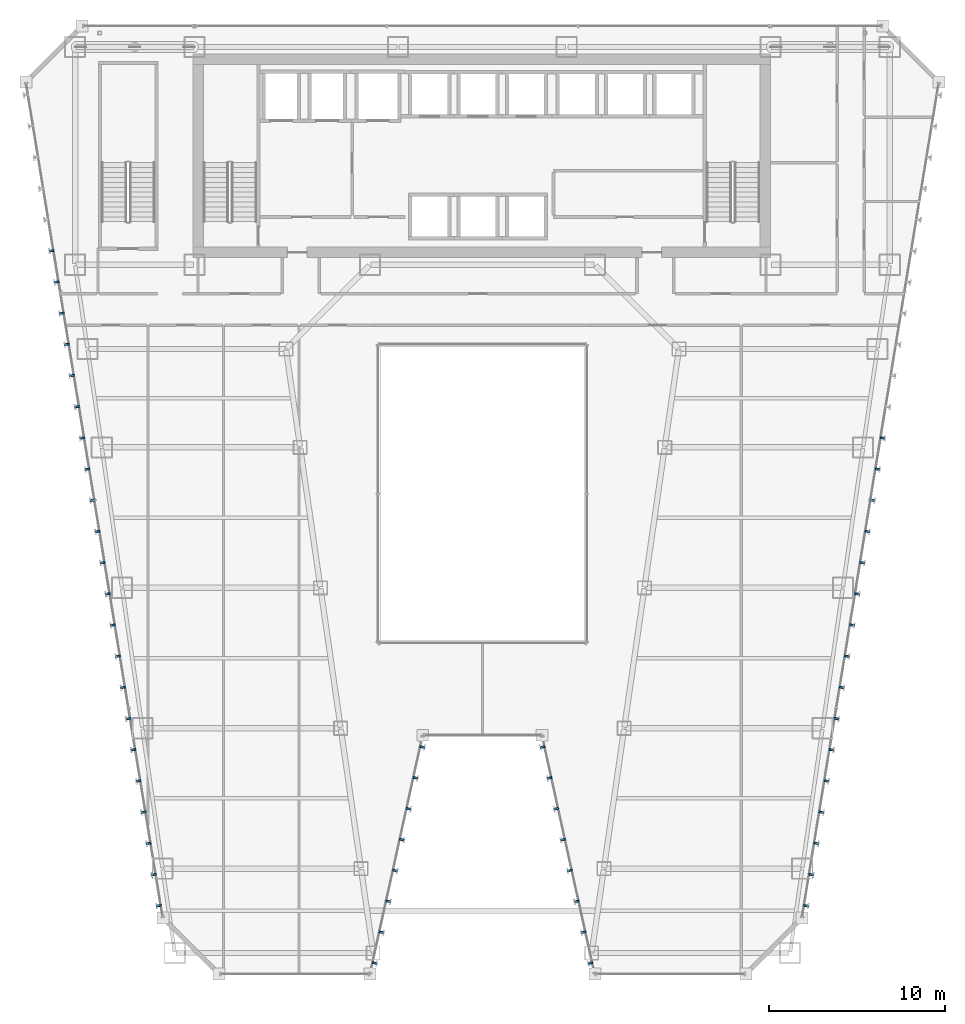
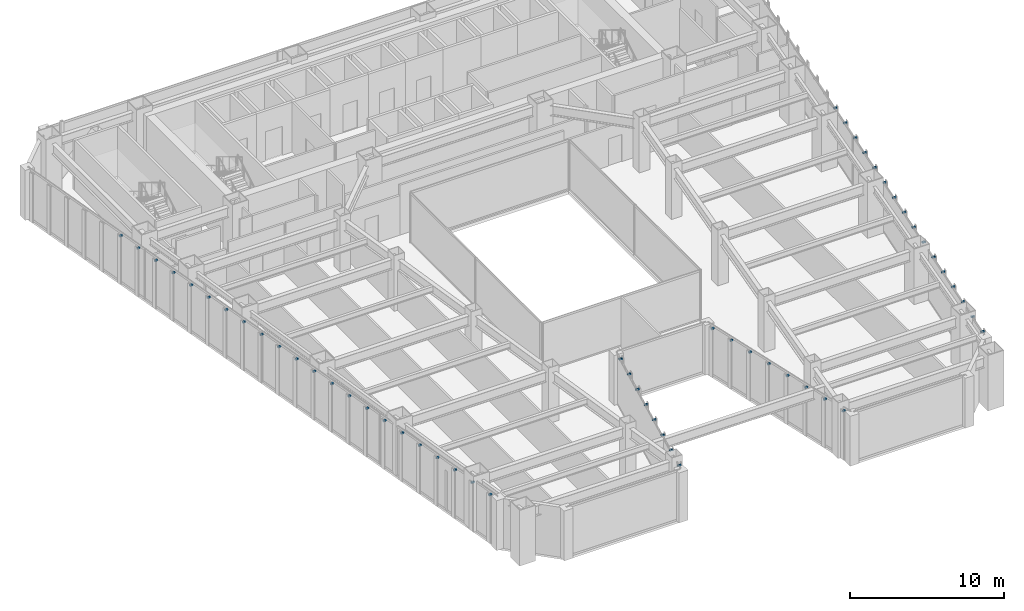
# One storey, part 39 of 47: 54 discrete accessories.
"""IFC4 building model written with IfcOpenShell, lengths in metres."""

import ifcopenshell
import ifcopenshell.guid

model = None  # the IFC model being written
_history = None  # IfcOwnerHistory: only IFC2X3 demands one
_inside = {}  # id of a spatial element -> (the spatial element, [elements in it])
_under = {}  # id of a project, library or spatial element -> (it, [spatial elements below it])
_declared = {}  # id of a project -> (the project, [libraries it declares])
_typed = {}  # id of a type object -> (the type object, [elements of that type])
_made_of = {}  # id of a material, layer set ... -> (it, [elements and type objects made of it])


def new_model(schema):
    """Start an empty IFC model of exactly this schema.

    Asked for "IFC4X3", IfcOpenShell would pick the latest addendum, in which some entities
    have other attributes; the version numbers below select the first issue.
    IFC2X3 requires an IfcOwnerHistory on every rooted entity: one is made here for all.
    """
    global model, _history
    if schema == "IFC4X3":
        model = ifcopenshell.file(schema_version=(4, 3, 0, 0))
    else:
        model = ifcopenshell.file(schema=schema)
    _inside.clear()
    _under.clear()
    _declared.clear()
    _typed.clear()
    _made_of.clear()
    _history = None
    if model.schema == "IFC2X3":
        org = make("IfcOrganization", Name="unknown")
        user = make(
            "IfcPersonAndOrganization",
            ThePerson=make("IfcPerson", FamilyName="unknown"),
            TheOrganization=org,
        )
        app = make(
            "IfcApplication",
            ApplicationDeveloper=org,
            Version="unknown",
            ApplicationFullName="unknown",
            ApplicationIdentifier="unknown",
        )
        _history = make(
            "IfcOwnerHistory",
            OwningUser=user,
            OwningApplication=app,
            ChangeAction="ADDED",
            CreationDate=0,
        )
    return model


def make(cls, **values):
    """One entity of the class cls with the attributes given. An attribute that is None is left unset."""
    return model.create_entity(
        cls, **{name: value for name, value in values.items() if value is not None}
    )


def rooted(cls, **values):
    """An entity with a GlobalId (a new one), such as an element, a storey or a relation."""
    return make(cls, GlobalId=ifcopenshell.guid.new(), OwnerHistory=_history, **values)


def si_unit(unit_type, name, prefix=None):
    """IfcSIUnit, for example si_unit("LENGTHUNIT", "METRE", prefix="MILLI")."""
    return make("IfcSIUnit", UnitType=unit_type, Prefix=prefix, Name=name)


def assignment(units):
    """IfcUnitAssignment: the units of a project."""
    return None if units is None else make("IfcUnitAssignment", Units=units)


def point(xyz):
    """IfcCartesianPoint."""
    return None if xyz is None else make("IfcCartesianPoint", Coordinates=xyz)


def direction(xyz):
    """IfcDirection."""
    return None if xyz is None else make("IfcDirection", DirectionRatios=xyz)


def frame(location, z_axis=None, x_axis=None):
    """IfcAxis2Placement3D, a coordinate frame: its origin and axes. An axis left out is left unset."""
    return make(
        "IfcAxis2Placement3D",
        Location=point(location),
        Axis=direction(z_axis),
        RefDirection=direction(x_axis),
    )


def frame_2d(location, x_axis=None):
    """IfcAxis2Placement2D, a coordinate frame in the plane: its origin and x axis."""
    return make(
        "IfcAxis2Placement2D", Location=point(location), RefDirection=direction(x_axis)
    )


def origin():
    """The frame at (0, 0, 0) with its axes left unset."""
    return frame((0.0, 0.0, 0.0))


def origin_2d():
    """The frame at (0, 0) in the plane with its x axis left unset."""
    return frame_2d((0.0, 0.0))


def place(relative_to, where):
    """IfcLocalPlacement: puts the frame where relative to a parent placement (None: the world)."""
    return make(
        "IfcLocalPlacement", PlacementRelTo=relative_to, RelativePlacement=where
    )


def context(
    kind, dimensions, precision=None, world=None, true_north=None, identifier=None
):
    """IfcGeometricRepresentationContext, for example the 3D "Model" context."""
    return make(
        "IfcGeometricRepresentationContext",
        ContextIdentifier=identifier,
        ContextType=kind,
        CoordinateSpaceDimension=dimensions,
        Precision=precision,
        WorldCoordinateSystem=world,
        TrueNorth=true_north,
    )


def subcontext(parent, identifier, kind, view, scale=None):
    """IfcGeometricRepresentationSubContext, for example "Body" below "Model"."""
    return make(
        "IfcGeometricRepresentationSubContext",
        ContextIdentifier=identifier,
        ContextType=kind,
        ParentContext=parent,
        TargetScale=scale,
        TargetView=view,
    )


def project(units=None, contexts=None):
    """IfcProject with its units and contexts."""
    return rooted(
        "IfcProject",
        Name="project",
        RepresentationContexts=contexts,
        UnitsInContext=assignment(units),
    )


def spatial(cls, under=None, at=None, **own):
    """A site, building, storey or space (cls), placed at a placement, below another one or the project."""
    s = rooted(cls, ObjectPlacement=at, **own)
    if under is not None:
        _under.setdefault(under.id(), (under, []))[1].append(s)
    return s


def profile(cls, at=None, kind="AREA", **sizes):
    """A parametric profile (cls). Its sizes go by their IFC names, for example OverallWidth=200.0."""
    return make(cls, ProfileType=kind, Position=at, **sizes)


def rectangle(**sizes):
    """IfcRectangleProfileDef."""
    return profile("IfcRectangleProfileDef", **sizes)


def extrude(swept, where, along, depth):
    """IfcExtrudedAreaSolid: the profile swept, set in the frame where, extruded along a direction by depth."""
    return make(
        "IfcExtrudedAreaSolid",
        SweptArea=swept,
        Position=where,
        ExtrudedDirection=direction(along),
        Depth=depth,
    )


def shape(context_of_items, identifier, shape_type, items):
    """IfcShapeRepresentation: the items that make up one representation, for example the "Body"."""
    return make(
        "IfcShapeRepresentation",
        ContextOfItems=context_of_items,
        RepresentationIdentifier=identifier,
        RepresentationType=shape_type,
        Items=items,
    )


def material(Name=None, Category=None):
    """IfcMaterial."""
    return make("IfcMaterial", Name=Name, Category=Category)


def layer(
    of_material, thickness, ventilated=None, Name=None, Category=None, Priority=None
):
    """IfcMaterialLayer: one layer of a wall or slab, of a material (None: an air gap)."""
    return make(
        "IfcMaterialLayer",
        Material=of_material,
        LayerThickness=thickness,
        IsVentilated=ventilated,
        Name=Name,
        Category=Category,
        Priority=Priority,
    )


def layer_set(layers, Name=None):
    """IfcMaterialLayerSet."""
    return make("IfcMaterialLayerSet", MaterialLayers=layers, LayerSetName=Name)


def made_of(thing, what):
    """Note that an element or type object is made of a material, layer set ...; save() writes the relation."""
    if what is not None:
        _made_of.setdefault(what.id(), (what, []))[1].append(thing)
    return thing


def type_object(cls, material=None, **own):
    """A type object (cls), such as IfcWallType, which elements share."""
    return made_of(rooted(cls, **own), material)


def element(
    cls,
    number,
    at=None,
    inside=None,
    cuts=None,
    type_object=None,
    material=None,
    context=None,
    identifier="Body",
    shape_type=None,
    held_by="IfcProductDefinitionShape",
    body=None,
    shapes=None,
    **own,
):
    """One element of the class cls, such as IfcWall. Its Tag is "e" and its number.

    at: its placement. inside: the storey or other place that contains it. cuts: it is an
    opening in that element (IfcRelVoidsElement). A single representation is given by context,
    identifier, shape_type and body (its items); several are given by shapes. held_by: the class
    of the entity that holds the representations. save() writes the other relations.
    """
    e = rooted(cls, Tag="e%d" % number, ObjectPlacement=at, **own)
    if body is not None:
        shapes = [shape(context, identifier, shape_type, body)]
    if shapes is not None:
        e.Representation = make(held_by, Representations=shapes)
    if inside is not None:
        _inside.setdefault(inside.id(), (inside, []))[1].append(e)
    if cuts is not None:
        rooted(
            "IfcRelVoidsElement", RelatingBuildingElement=cuts, RelatedOpeningElement=e
        )
    if type_object is not None:
        _typed.setdefault(type_object.id(), (type_object, []))[1].append(e)
    return made_of(e, material)


def aggregate(whole, parts):
    """IfcRelAggregates: a whole, such as a stair, and the parts it consists of."""
    return rooted("IfcRelAggregates", RelatingObject=whole, RelatedObjects=parts)


def save(model, path):
    """Write the relations noted so far, then the file.

    IfcRelAggregates (storeys below a building ...), IfcRelContainedInSpatialStructure (elements
    in a storey), IfcRelDefinesByType, IfcRelAssociatesMaterial and IfcRelDeclares: one each for
    every whole, place, type object, material and project.
    """
    for whole, parts in _under.values():
        aggregate(whole, parts)
    for where, things in _inside.values():
        rooted(
            "IfcRelContainedInSpatialStructure",
            RelatedElements=things,
            RelatingStructure=where,
        )
    for kind, things in _typed.values():
        rooted("IfcRelDefinesByType", RelatedObjects=things, RelatingType=kind)
    for what, things in _made_of.values():
        rooted("IfcRelAssociatesMaterial", RelatedObjects=things, RelatingMaterial=what)
    for by, libraries in _declared.values():
        rooted("IfcRelDeclares", RelatingContext=by, RelatedDefinitions=libraries)
    model.write(path)


model = new_model("IFC4")

# Units and contexts
model_context = context("Model", 3, precision=1e-05, world=origin(), true_north=direction((0.0, 1.0)))
body_context = subcontext(model_context, "Body", "Model", "MODEL_VIEW")
ifc_project = project(units=[si_unit("LENGTHUNIT", "METRE"), si_unit("AREAUNIT", "SQUARE_METRE"), si_unit("VOLUMEUNIT", "CUBIC_METRE"), si_unit("PLANEANGLEUNIT", "RADIAN"), si_unit("MASSUNIT", "GRAM", prefix="KILO")], contexts=[model_context])

# Site, building, storey
site_placement = place(None, origin())
site = spatial("IfcSite", under=ifc_project, at=site_placement, CompositionType="ELEMENT")
building_placement = place(site_placement, origin())
building = spatial("IfcBuilding", under=site, at=building_placement, Name="Saevonmaru Cultural Tower", CompositionType="ELEMENT")
storey_placement = place(building_placement, frame((0.0, 0.0, 82.39990234375)))
storey = spatial("IfcBuildingStorey", under=building, at=storey_placement, Name="L17", CompositionType="ELEMENT", Elevation=82.39990234375)

# Discrete accessories
ifc_material = material(Name="Stainless Steel 316", Category="steel")
ifc_layer = layer(ifc_material, 0.1201171875, Name="Stainless Steel 316")
ifc_layer_set = layer_set([ifc_layer], Name="Stainless Steel 316")
discrete_accessory_type = type_object("IfcDiscreteAccessoryType", Name="ACC-FIN-BRKT", PredefinedType="BRACKET", material=ifc_layer_set)
for number, where, z_axis, x_axis, name in (
    (1, (23.850341796875, 2.624267578125, 3.72998046875), (0.0, 0.0, 1.0), (0.976522126798, -0.215417120661, 0.0), "L17 Bronze Fin Bracket E3-01"),
    (2, (24.238037109375, 4.3818359375, 3.72998046875), (0.0, 0.0, 1.0), (0.976522126798, -0.215417120661, 0.0), "L17 Bronze Fin Bracket E3-02"),
    (3, (24.625732421875, 6.1396484375, 3.72998046875), (0.0, 0.0, 1.0), (0.976522126798, -0.215417120661, 0.0), "L17 Bronze Fin Bracket E3-03"),
    (4, (25.013427734375, 7.8974609375, 3.72998046875), (0.0, 0.0, 1.0), (0.976522126798, -0.215417120661, 0.0), "L17 Bronze Fin Bracket E3-04"),
    (5, (25.4013671875, 9.6552734375, 3.72998046875), (0.0, 0.0, 1.0), (0.976522126798, -0.215417120661, 0.0), "L17 Bronze Fin Bracket E3-05"),
    (6, (25.7890625, 11.412841796875, 3.72998046875), (0.0, 0.0, 1.0), (0.976522126798, -0.215417120661, 0.0), "L17 Bronze Fin Bracket E3-06"),
    (7, (26.1767578125, 13.170654296875, 3.72998046875), (0.0, 0.0, 1.0), (0.976522126798, -0.215417120661, 0.0), "L17 Bronze Fin Bracket E3-07"),
    (8, (26.564453125, 14.928466796875, 3.72998046875), (0.0, 0.0, 1.0), (0.976522126798, -0.215417120661, 0.0), "L17 Bronze Fin Bracket E3-08"),
    (9, (33.435546875, 14.928466796875, 3.72998046875), (0.0, 0.0, 1.0), (-0.976522126798, -0.215417120661, 0.0), "L17 Bronze Fin Bracket E5-01"),
    (10, (33.8232421875, 13.170654296875, 3.72998046875), (0.0, 0.0, 1.0), (-0.976522126798, -0.215417120661, 0.0), "L17 Bronze Fin Bracket E5-02"),
    (11, (34.2109375, 11.412841796875, 3.72998046875), (0.0, 0.0, 1.0), (-0.976522126798, -0.215417120661, 0.0), "L17 Bronze Fin Bracket E5-03"),
    (12, (34.5986328125, 9.6552734375, 3.72998046875), (0.0, 0.0, 1.0), (-0.976522126798, -0.215417120661, 0.0), "L17 Bronze Fin Bracket E5-04"),
    (13, (34.986572265625, 7.8974609375, 3.72998046875), (0.0, 0.0, 1.0), (-0.976522126798, -0.215417120661, 0.0), "L17 Bronze Fin Bracket E5-05"),
    (14, (35.374267578125, 6.1396484375, 3.72998046875), (0.0, 0.0, 1.0), (-0.976522126798, -0.215417120661, 0.0), "L17 Bronze Fin Bracket E5-06"),
    (15, (35.761962890625, 4.3818359375, 3.72998046875), (0.0, 0.0, 1.0), (-0.976522126798, -0.215417120661, 0.0), "L17 Bronze Fin Bracket E5-07"),
    (16, (36.149658203125, 2.624267578125, 3.72998046875), (0.0, 0.0, 1.0), (-0.976522126798, -0.215417120661, 0.0), "L17 Bronze Fin Bracket E5-08"),
    (17, (48.424560546875, 5.89013671875, 3.72998046875), (0.0, 0.0, 1.0), (0.986827496189, -0.161776057456, 0.0), "L17 Bronze Fin Bracket E8-01"),
    (18, (48.715576171875, 7.66650390625, 3.72998046875), (0.0, 0.0, 1.0), (0.986827496189, -0.161776057456, 0.0), "L17 Bronze Fin Bracket E8-02"),
    (19, (49.006591796875, 9.44287109375, 3.72998046875), (0.0, 0.0, 1.0), (0.986827496189, -0.161776057456, 0.0), "L17 Bronze Fin Bracket E8-03"),
    (20, (49.2978515625, 11.218994140625, 3.72998046875), (0.0, 0.0, 1.0), (0.986827496189, -0.161776057456, 0.0), "L17 Bronze Fin Bracket E8-04"),
    (21, (49.5888671875, 12.995361328125, 3.72998046875), (0.0, 0.0, 1.0), (0.986827496189, -0.161776057456, 0.0), "L17 Bronze Fin Bracket E8-05"),
    (22, (49.8798828125, 14.771728515625, 3.72998046875), (0.0, 0.0, 1.0), (0.986827496189, -0.161776057456, 0.0), "L17 Bronze Fin Bracket E8-06"),
    (23, (50.1708984375, 16.548095703125, 3.72998046875), (0.0, 0.0, 1.0), (0.986827496189, -0.161776057456, 0.0), "L17 Bronze Fin Bracket E8-07"),
    (24, (50.462158203125, 18.324462890625, 3.72998046875), (0.0, 0.0, 1.0), (0.986827496189, -0.161776057456, 0.0), "L17 Bronze Fin Bracket E8-08"),
    (25, (50.753173828125, 20.1005859375, 3.72998046875), (0.0, 0.0, 1.0), (0.986827496189, -0.161776057456, 0.0), "L17 Bronze Fin Bracket E8-09"),
    (26, (51.044189453125, 21.876953125, 3.72998046875), (0.0, 0.0, 1.0), (0.986827496189, -0.161776057456, 0.0), "L17 Bronze Fin Bracket E8-10"),
    (27, (51.335205078125, 23.6533203125, 3.72998046875), (0.0, 0.0, 1.0), (0.986827496189, -0.161776057456, 0.0), "L17 Bronze Fin Bracket E8-11"),
    (28, (51.62646484375, 25.4296875, 3.72998046875), (0.0, 0.0, 1.0), (0.986827496189, -0.161776057456, 0.0), "L17 Bronze Fin Bracket E8-12"),
    (29, (51.91748046875, 27.205810546875, 3.72998046875), (0.0, 0.0, 1.0), (0.986827496189, -0.161776057456, 0.0), "L17 Bronze Fin Bracket E8-13"),
    (30, (52.20849609375, 28.982177734375, 3.72998046875), (0.0, 0.0, 1.0), (0.986827496189, -0.161776057456, 0.0), "L17 Bronze Fin Bracket E8-14"),
    (31, (52.49951171875, 30.758544921875, 3.72998046875), (0.0, 0.0, 1.0), (0.986827496189, -0.161776057456, 0.0), "L17 Bronze Fin Bracket E8-15"),
    (32, (52.790771484375, 32.534912109375, 3.72998046875), (0.0, 0.0, 1.0), (0.986827496189, -0.161776057456, 0.0), "L17 Bronze Fin Bracket E8-16"),
    (33, (5.462890625, 43.192626953125, 3.72998046875), (0.0, 0.0, 1.0), (-0.986827496189, -0.161776057456, 0.0), "L17 Bronze Fin Bracket E12-06"),
    (34, (5.75390625, 41.41650390625, 3.72998046875), (0.0, 0.0, 1.0), (-0.986827496189, -0.161776057456, 0.0), "L17 Bronze Fin Bracket E12-07"),
    (35, (6.044921875, 39.64013671875, 3.72998046875), (0.0, 0.0, 1.0), (-0.986827496189, -0.161776057456, 0.0), "L17 Bronze Fin Bracket E12-08"),
    (36, (6.336181640625, 37.86376953125, 3.72998046875), (0.0, 0.0, 1.0), (-0.986827496189, -0.161776057456, 0.0), "L17 Bronze Fin Bracket E12-09"),
    (37, (6.627197265625, 36.08740234375, 3.72998046875), (0.0, 0.0, 1.0), (-0.986827496189, -0.161776057456, 0.0), "L17 Bronze Fin Bracket E12-10"),
    (38, (6.918212890625, 34.31103515625, 3.72998046875), (0.0, 0.0, 1.0), (-0.986827496189, -0.161776057456, 0.0), "L17 Bronze Fin Bracket E12-11"),
    (39, (7.209228515625, 32.534912109375, 3.72998046875), (0.0, 0.0, 1.0), (-0.986827496189, -0.161776057456, 0.0), "L17 Bronze Fin Bracket E12-12"),
    (40, (7.50048828125, 30.758544921875, 3.72998046875), (0.0, 0.0, 1.0), (-0.986827496189, -0.161776057456, 0.0), "L17 Bronze Fin Bracket E12-13"),
    (41, (7.79150390625, 28.982177734375, 3.72998046875), (0.0, 0.0, 1.0), (-0.986827496189, -0.161776057456, 0.0), "L17 Bronze Fin Bracket E12-14"),
    (42, (8.08251953125, 27.205810546875, 3.72998046875), (0.0, 0.0, 1.0), (-0.986827496189, -0.161776057456, 0.0), "L17 Bronze Fin Bracket E12-15"),
    (43, (8.37353515625, 25.4296875, 3.72998046875), (0.0, 0.0, 1.0), (-0.986827496189, -0.161776057456, 0.0), "L17 Bronze Fin Bracket E12-16"),
    (44, (8.664794921875, 23.6533203125, 3.72998046875), (0.0, 0.0, 1.0), (-0.986827496189, -0.161776057456, 0.0), "L17 Bronze Fin Bracket E12-17"),
    (45, (8.955810546875, 21.876953125, 3.72998046875), (0.0, 0.0, 1.0), (-0.986827496189, -0.161776057456, 0.0), "L17 Bronze Fin Bracket E12-18"),
    (46, (9.246826171875, 20.1005859375, 3.72998046875), (0.0, 0.0, 1.0), (-0.986827496189, -0.161776057456, 0.0), "L17 Bronze Fin Bracket E12-19"),
    (47, (9.537841796875, 18.324462890625, 3.72998046875), (0.0, 0.0, 1.0), (-0.986827496189, -0.161776057456, 0.0), "L17 Bronze Fin Bracket E12-20"),
    (48, (9.8291015625, 16.548095703125, 3.72998046875), (0.0, 0.0, 1.0), (-0.986827496189, -0.161776057456, 0.0), "L17 Bronze Fin Bracket E12-21"),
    (49, (10.1201171875, 14.771728515625, 3.72998046875), (0.0, 0.0, 1.0), (-0.986827496189, -0.161776057456, 0.0), "L17 Bronze Fin Bracket E12-22"),
    (50, (10.4111328125, 12.995361328125, 3.72998046875), (0.0, 0.0, 1.0), (-0.986827496189, -0.161776057456, 0.0), "L17 Bronze Fin Bracket E12-23"),
    (51, (10.7021484375, 11.218994140625, 3.72998046875), (0.0, 0.0, 1.0), (-0.986827496189, -0.161776057456, 0.0), "L17 Bronze Fin Bracket E12-24"),
    (52, (10.993408203125, 9.44287109375, 3.72998046875), (0.0, 0.0, 1.0), (-0.986827496189, -0.161776057456, 0.0), "L17 Bronze Fin Bracket E12-25"),
    (53, (11.284423828125, 7.66650390625, 3.72998046875), (0.0, 0.0, 1.0), (-0.986827496189, -0.161776057456, 0.0), "L17 Bronze Fin Bracket E12-26"),
    (54, (11.575439453125, 5.89013671875, 3.72998046875), (0.0, 0.0, 1.0), (-0.986827496189, -0.161776057456, 0.0), "L17 Bronze Fin Bracket E12-27"),
):
    element("IfcDiscreteAccessory", number, at=place(storey_placement, frame(where, z_axis=z_axis, x_axis=x_axis)), inside=storey, type_object=discrete_accessory_type, Name=name, PredefinedType="BRACKET", context=body_context, shape_type="SweptSolid", body=[
        extrude(rectangle(XDim=0.260009765625, YDim=0.1201171875, at=origin_2d()), origin(), (0.0, 0.0, 1.0), 0.1201171875),
    ])

save(model, "model.ifc")
